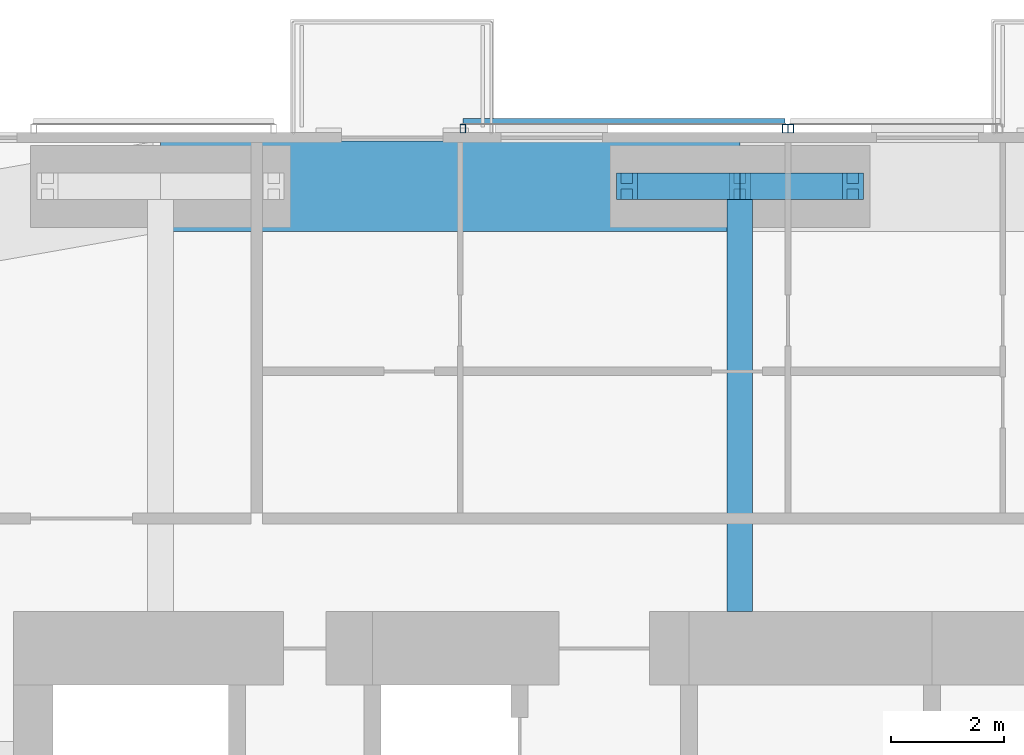
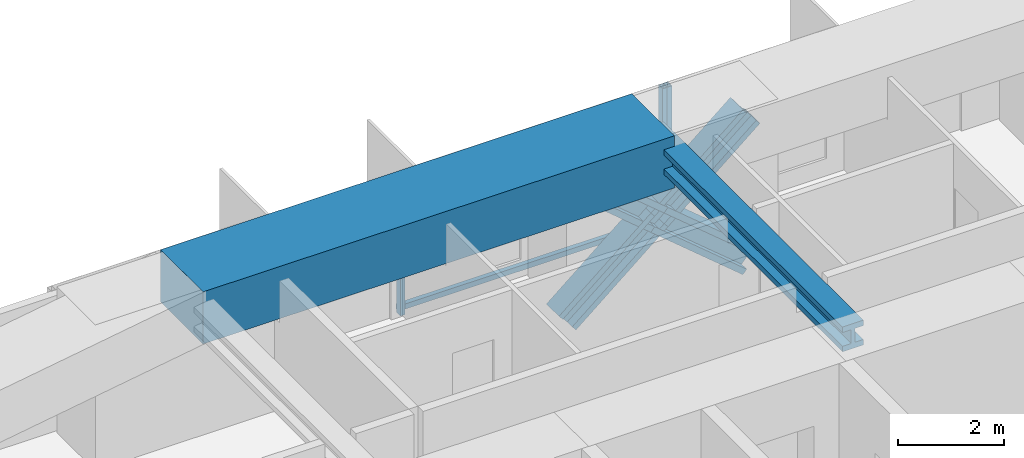
# One storey, part 11 of 22: 8 members, 2 beams, 2 elements without a shape of their own.
"""IFC4 building model written with IfcOpenShell, lengths in metres."""

from ifc_helpers import new_model, si_unit, direction, frame, origin, origin_2d, place, context, subcontext, project, spatial, rectangle, hollow_rectangle, i_section, extrude, material, material_profile, profile_set, type_object, element, aggregate, save


model = new_model("IFC4")

# Units and contexts
model_context = context("Model", 3, precision=1e-05, world=origin(), true_north=direction((0.0, 1.0)))
body_context = subcontext(model_context, "Body", "Model", "MODEL_VIEW")
ifc_project = project(units=[si_unit("LENGTHUNIT", "METRE"), si_unit("AREAUNIT", "SQUARE_METRE"), si_unit("VOLUMEUNIT", "CUBIC_METRE"), si_unit("PLANEANGLEUNIT", "RADIAN"), si_unit("MASSUNIT", "GRAM", prefix="KILO")], contexts=[model_context])

# Site, building, storey
site_placement = place(None, origin())
site = spatial("IfcSite", under=ifc_project, at=site_placement, CompositionType="ELEMENT")
building_placement = place(site_placement, origin())
building = spatial("IfcBuilding", under=site, at=building_placement, Name="Jalousie Tower", CompositionType="ELEMENT")
storey_placement = place(building_placement, frame((0.0, 0.0, 174.449951171875)))
storey = spatial("IfcBuildingStorey", under=building, at=storey_placement, Name="L47", CompositionType="ELEMENT", Elevation=174.449951171875)

# Beam
ifc_material_1 = material(Name="Steel ASTM A992 Grade 50", Category="steel")
ifc_material_profile_1 = material_profile(ifc_material_1, i_section(OverallWidth=0.45458984375, OverallDepth=0.569091796875, WebThickness=0.077880859375, FlangeThickness=0.124755859375, at=origin_2d()), Name="W14X730")
ifc_profile_set_1 = profile_set([ifc_material_profile_1], Name="Steel ASTM A992 Grade 50")
beam_type_1 = type_object("IfcBeamType", Name="LEAN COLLECTOR W14X730", PredefinedType="BEAM", material=ifc_profile_set_1)
beam_1_placement = place(storey_placement, frame((32.5, 35.050048828125, 2.825439453125), z_axis=(0.0, -1.0, 0.0), x_axis=(1.0, 0.0, 0.0)))
element("IfcBeam", 1, at=beam_1_placement, inside=storey, type_object=beam_type_1, Name="Lean collector under L48", PredefinedType="BEAM", context=body_context, shape_type="SweptSolid", body=[
    extrude(i_section(OverallWidth=0.45458984375, OverallDepth=0.569091796875, WebThickness=0.077880859375, FlangeThickness=0.124755859375, at=origin_2d()), origin(), (0.0, 0.0, 1.0), 7.525146484375),
])

# Members
ifc_material_2 = material(Name="Steel ASTM A992 Grade 50", Category="steel")
ifc_material_profile_2 = material_profile(ifc_material_2, i_section(OverallWidth=0.472412109375, OverallDepth=0.5791015625, WebThickness=0.094970703125, FlangeThickness=0.1298828125, at=origin_2d()), Name="W14X808")
ifc_profile_set_2 = profile_set([ifc_material_profile_2], Name="Steel ASTM A992 Grade 50")
member_type_1 = type_object("IfcMemberType", Name="PERIMETER BRACE W14X808", PredefinedType="BRACE", material=ifc_profile_set_2)
member_1_placement = place(storey_placement, frame((30.5, 35.050048828125, -0.599853515625), z_axis=(0.766684820047, 0.0, 0.642023665225), x_axis=(0.0, 1.0, 0.0)))
element("IfcMember", 2, at=member_1_placement, inside=storey, type_object=member_type_1, Name="Perimeter brace 10 L47 part 1", PredefinedType="BRACE", context=body_context, shape_type="SweptSolid", body=[
    extrude(i_section(OverallWidth=0.472412109375, OverallDepth=0.5791015625, WebThickness=0.094970703125, FlangeThickness=0.1298828125, at=origin_2d()), origin(), (0.0, 0.0, 1.0), 2.608642578125),
])
member_2_placement = place(storey_placement, frame((32.5, 35.050048828125, 1.074951171875), z_axis=(0.766638753323, 0.0, 0.642078672674), x_axis=(0.0, 1.0, 0.0)))
element("IfcMember", 3, at=member_2_placement, inside=storey, type_object=member_type_1, Name="Perimeter brace 10 L47 part 2", PredefinedType="BRACE", context=body_context, shape_type="SweptSolid", body=[
    extrude(i_section(OverallWidth=0.472412109375, OverallDepth=0.5791015625, WebThickness=0.094970703125, FlangeThickness=0.1298828125, at=origin_2d()), origin(), (0.0, 0.0, 1.0), 2.60888671875),
])
member_3_placement = place(storey_placement, frame((34.5, 35.050048828125, -0.599853515625), z_axis=(-0.766684820047, 0.0, 0.642023665225), x_axis=(0.0, -1.0, 0.0)))
element("IfcMember", 4, at=member_3_placement, inside=storey, type_object=member_type_1, Name="Perimeter brace 10 L47 part 3", PredefinedType="BRACE", context=body_context, shape_type="SweptSolid", body=[
    extrude(i_section(OverallWidth=0.472412109375, OverallDepth=0.5791015625, WebThickness=0.094970703125, FlangeThickness=0.1298828125, at=origin_2d()), origin(), (0.0, 0.0, 1.0), 2.608642578125),
])
member_4_placement = place(storey_placement, frame((32.5, 35.050048828125, 1.074951171875), z_axis=(-0.766638753323, 0.0, 0.642078672674), x_axis=(0.0, -1.0, 0.0)))
element("IfcMember", 5, at=member_4_placement, inside=storey, type_object=member_type_1, Name="Perimeter brace 10 L47 part 4", PredefinedType="BRACE", context=body_context, shape_type="SweptSolid", body=[
    extrude(i_section(OverallWidth=0.472412109375, OverallDepth=0.5791015625, WebThickness=0.094970703125, FlangeThickness=0.1298828125, at=origin_2d()), origin(), (0.0, 0.0, 1.0), 2.60888671875),
])

# Beam
ifc_material_3 = material(Name="Concrete f'c 40 MPa", Category="concrete")
ifc_material_profile_3 = material_profile(ifc_material_3, rectangle(XDim=1.60009765625, YDim=1.199951171875, at=origin_2d()), Name="RC 1600x1200")
ifc_profile_set_3 = profile_set([ifc_material_profile_3], Name="Concrete f'c 40 MPa")
beam_type_2 = type_object("IfcBeamType", Name="RC BEAM 1600x1200", PredefinedType="BEAM", material=ifc_profile_set_3)
beam_2_placement = place(storey_placement, frame((32.5, 35.050048828125, 2.75), z_axis=(-1.0, 0.0, 0.0), x_axis=(0.0, -1.0, 0.0)))
element("IfcBeam", 6, at=beam_2_placement, inside=storey, type_object=beam_type_2, Name="Edge band beam 10-11 under L48", PredefinedType="BEAM", context=body_context, shape_type="SweptSolid", body=[
    extrude(rectangle(XDim=1.60009765625, YDim=1.199951171875, at=origin_2d()), origin(), (0.0, 0.0, 1.0), 10.25),
])

# Curtain wall, member
ifc_material_4 = material(Name="Perforated aluminium sheet", Category="aluminium")
curtain_wall_type = type_object("IfcCurtainWallType", Name="SOLAR SCREEN SS-1", PredefinedType="USERDEFINED", material=ifc_material_4)
curtain_wall_1_placement = place(storey_placement, origin())
curtain_wall_1 = element("IfcCurtainWall", 7, at=curtain_wall_1_placement, inside=storey, type_object=curtain_wall_type, Name="Solar screen L47", ObjectType="SOLAR SCREEN SS-1", PredefinedType="USERDEFINED")
ifc_material_5 = material(Name="Steel ASTM A500 Grade C", Category="steel")
ifc_material_profile_4 = material_profile(ifc_material_5, hollow_rectangle(XDim=0.1015625, YDim=0.15234375, WallThickness=0.00634765625, at=origin_2d()), Name="HSS6X4X1/4")
ifc_profile_set_4 = profile_set([ifc_material_profile_4], Name="Steel ASTM A500 Grade C")
member_type_2 = type_object("IfcMemberType", Name="SOLAR SCREEN SS-1 MULLION", PredefinedType="MULLION", material=ifc_profile_set_4)
member_5_placement = place(storey_placement, frame((33.39990234375, 36.0712890625, -0.119873046875), z_axis=(0.0, 0.0, 1.0), x_axis=(-1.0, 0.0, 0.0)))
member_5 = element("IfcMember", 8, at=member_5_placement, type_object=member_type_2, Name="SS1 post 2", PredefinedType="MULLION", context=body_context, shape_type="SweptSolid", body=[
    extrude(hollow_rectangle(XDim=0.1015625, YDim=0.15234375, WallThickness=0.00634765625, at=origin_2d()), origin(), (0.0, 0.0, 1.0), 3.22998046875),
])
aggregate(curtain_wall_1, [member_5])

# Curtain wall, members
curtain_wall_2_placement = place(storey_placement, origin())
curtain_wall_2 = element("IfcCurtainWall", 9, at=curtain_wall_2_placement, inside=storey, type_object=curtain_wall_type, Name="Solar screen L47", ObjectType="SOLAR SCREEN SS-1", PredefinedType="USERDEFINED")
member_6_placement = place(storey_placement, frame((33.300048828125, 36.0712890625, -0.119873046875), z_axis=(0.0, 0.0, 1.0), x_axis=(-1.0, 0.0, 0.0)))
member_6 = element("IfcMember", 10, at=member_6_placement, type_object=member_type_2, Name="SS1 post 1", PredefinedType="MULLION", context=body_context, shape_type="SweptSolid", body=[
    extrude(hollow_rectangle(XDim=0.1015625, YDim=0.15234375, WallThickness=0.00634765625, at=origin_2d()), origin(), (0.0, 0.0, 1.0), 3.22998046875),
])
member_7_placement = place(storey_placement, frame((27.60009765625, 36.0712890625, -0.119873046875), z_axis=(0.0, 0.0, 1.0), x_axis=(-1.0, 0.0, 0.0)))
member_7 = element("IfcMember", 11, at=member_7_placement, type_object=member_type_2, Name="SS1 post 2", PredefinedType="MULLION", context=body_context, shape_type="SweptSolid", body=[
    extrude(hollow_rectangle(XDim=0.1015625, YDim=0.15234375, WallThickness=0.00634765625, at=origin_2d()), origin(), (0.0, 0.0, 1.0), 3.22998046875),
])
ifc_material_6 = material(Name="Extruded aluminium screen rail", Category="aluminium")
ifc_material_profile_5 = material_profile(ifc_material_6, rectangle(XDim=0.1015625, YDim=0.1201171875, at=origin_2d()), Name="RAIL 102x120")
ifc_profile_set_5 = profile_set([ifc_material_profile_5], Name="Extruded aluminium screen rail")
member_type_3 = type_object("IfcMemberType", Name="SOLAR SCREEN SS-1 TRANSOM", PredefinedType="USERDEFINED", material=ifc_profile_set_5)
member_8_placement = place(storey_placement, frame((33.300048828125, 36.1982421875, -0.06005859375), z_axis=(-1.0, 0.0, 0.0), x_axis=(0.0, -1.0, 0.0)))
member_8 = element("IfcMember", 12, at=member_8_placement, type_object=member_type_3, Name="SS1 rail", ObjectType="TRANSOM", PredefinedType="USERDEFINED", context=body_context, shape_type="SweptSolid", body=[
    extrude(rectangle(XDim=0.1015625, YDim=0.1201171875, at=origin_2d()), origin(), (0.0, 0.0, 1.0), 5.699951171875),
])
aggregate(curtain_wall_2, [member_6, member_7, member_8])

save(model, "model.ifc")
